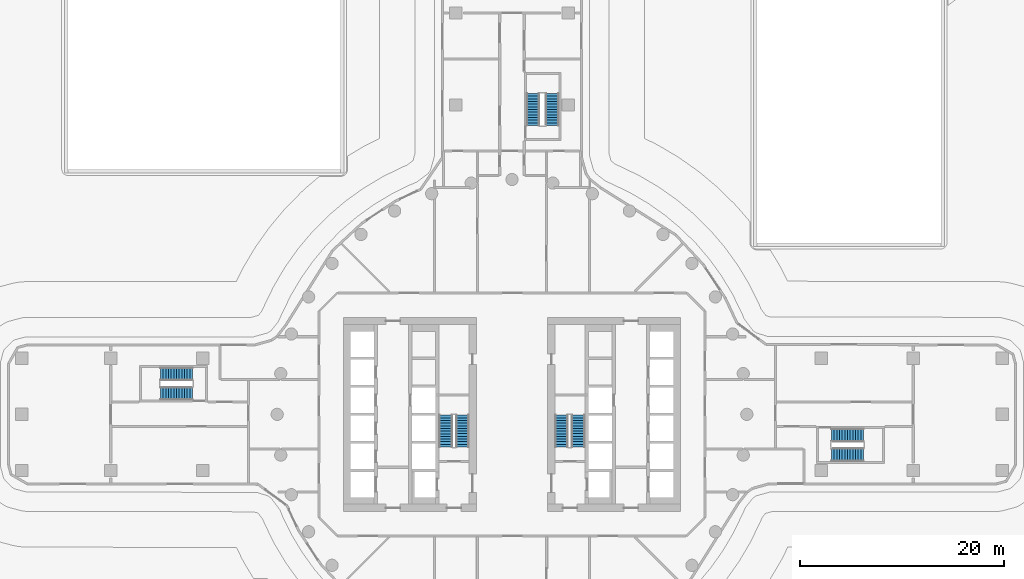
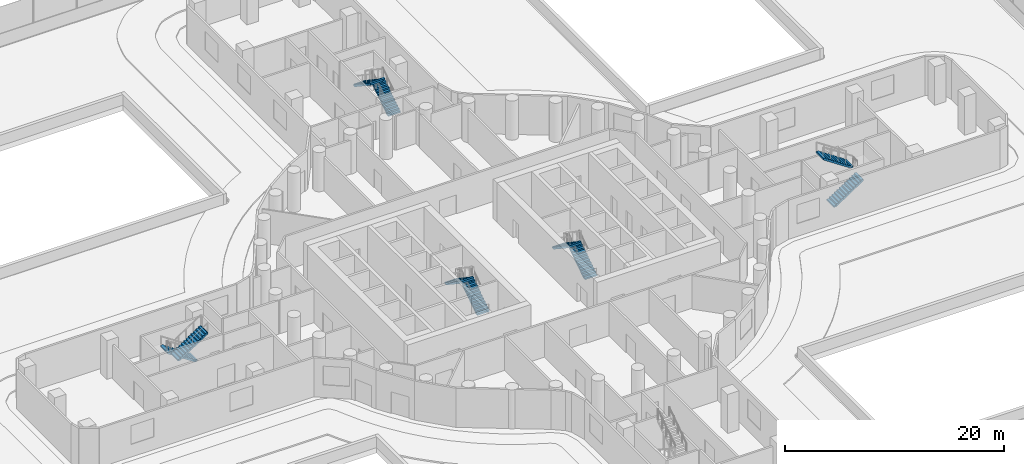
# One storey, part 29 of 37: 10 stair flights, 5 elements without a shape of their own.
"""IFC4 building model written with IfcOpenShell, lengths in metres."""

from ifc_helpers import new_model, si_unit, direction, frame, origin, place, context, subcontext, project, spatial, polyline, outline, extrude, material, type_object, element, aggregate, save


model = new_model("IFC4")

# Units and contexts
model_context = context("Model", 3, precision=1e-05, world=origin(), true_north=direction((0.0, 1.0)))
body_context = subcontext(model_context, "Body", "Model", "MODEL_VIEW")
ifc_project = project(units=[si_unit("LENGTHUNIT", "METRE"), si_unit("AREAUNIT", "SQUARE_METRE"), si_unit("VOLUMEUNIT", "CUBIC_METRE"), si_unit("PLANEANGLEUNIT", "RADIAN"), si_unit("MASSUNIT", "GRAM", prefix="KILO")], contexts=[model_context])

# Site, building, storey
site_placement = place(None, origin())
site = spatial("IfcSite", under=ifc_project, at=site_placement, CompositionType="ELEMENT")
building_placement = place(site_placement, origin())
building = spatial("IfcBuilding", under=site, at=building_placement, Name="Tamarind Cross Interchange Tower", CompositionType="ELEMENT")
storey_placement = place(building_placement, frame((0.0, 0.0, 29.5)))
storey = spatial("IfcBuildingStorey", under=building, at=storey_placement, Name="L05", CompositionType="ELEMENT", Elevation=29.5)

# Stair, stair flights
ifc_material_1 = material(Name="Exit stair")
stair_type = type_object("IfcStairType", Name="Exit stair", PredefinedType="HALF_TURN_STAIR", material=ifc_material_1)
stair_1_placement = place(storey_placement, origin())
stair_1 = element("IfcStair", 1, at=stair_1_placement, inside=storey, type_object=stair_type, Name="L05 exit stair ST1", PredefinedType="HALF_TURN_STAIR")
ifc_material_2 = material(Name="Exit stair flight")
stair_flight_type = type_object("IfcStairFlightType", Name="Exit stair flight", PredefinedType="STRAIGHT", material=ifc_material_2)
stair_flight_1_placement = place(storey_placement, frame((-4.85009765625, -3.199951171875, 0.0), z_axis=(0.0, 0.0, 1.0), x_axis=(0.0, 1.0, 0.0)))
stair_flight_1 = element("IfcStairFlight", 2, at=stair_flight_1_placement, type_object=stair_flight_type, Name="ST1 flight 1", NumberOfRisers=13, NumberOfTreads=12, PredefinedType="STRAIGHT", RiserHeight=0.173076923, TreadLength=0.26, context=body_context, shape_type="SweptSolid", body=[
    extrude(outline(polyline([(0.0, 0.0), (0.0, 0.173095703125), (0.260009765625, 0.173095703125), (0.260009765625, 0.34619140625), (0.52001953125, 0.34619140625), (0.52001953125, 0.519287109375), (0.780029296875, 0.519287109375), (0.780029296875, 0.6923828125), (1.0400390625, 0.6923828125), (1.0400390625, 0.865478515625), (1.300048828125, 0.865478515625), (1.300048828125, 1.03857421875), (1.56005859375, 1.03857421875), (1.56005859375, 1.21142578125), (1.820068359375, 1.21142578125), (1.820068359375, 1.384521484375), (2.080078125, 1.384521484375), (2.080078125, 1.5576171875), (2.340087890625, 1.5576171875), (2.340087890625, 1.730712890625), (2.60009765625, 1.730712890625), (2.60009765625, 1.90380859375), (2.860107421875, 1.90380859375), (2.860107421875, 2.076904296875), (3.1201171875, 2.076904296875), (3.1201171875, 2.25), (3.1201171875, 1.896728515625), (0.2705078125, 0.0), (0.0, 0.0)])), frame((0.0, 0.64990234375, 0.0), z_axis=(0.0, -1.0, 0.0), x_axis=(1.0, 0.0, 0.0)), (0.0, 0.0, 1.0), 1.300048828125),
])
stair_flight_2_placement = place(storey_placement, frame((-6.5, -0.080078125, 2.25), z_axis=(0.0, 0.0, 1.0), x_axis=(0.0, -1.0, 0.0)))
stair_flight_2 = element("IfcStairFlight", 3, at=stair_flight_2_placement, type_object=stair_flight_type, Name="ST1 flight 2", NumberOfRisers=13, NumberOfTreads=12, PredefinedType="STRAIGHT", RiserHeight=0.173076923, TreadLength=0.26, context=body_context, shape_type="SweptSolid", body=[
    extrude(outline(polyline([(0.0, 0.0), (0.0, 0.173095703125), (0.260009765625, 0.173095703125), (0.260009765625, 0.34619140625), (0.52001953125, 0.34619140625), (0.52001953125, 0.519287109375), (0.780029296875, 0.519287109375), (0.780029296875, 0.6923828125), (1.0400390625, 0.6923828125), (1.0400390625, 0.865478515625), (1.300048828125, 0.865478515625), (1.300048828125, 1.03857421875), (1.56005859375, 1.03857421875), (1.56005859375, 1.21142578125), (1.820068359375, 1.21142578125), (1.820068359375, 1.384521484375), (2.080078125, 1.384521484375), (2.080078125, 1.5576171875), (2.340087890625, 1.5576171875), (2.340087890625, 1.730712890625), (2.60009765625, 1.730712890625), (2.60009765625, 1.90380859375), (2.860107421875, 1.90380859375), (2.860107421875, 2.076904296875), (3.1201171875, 2.076904296875), (3.1201171875, 2.1298828125), (3.132080078125, 2.1298828125), (3.132080078125, 1.90478515625), (0.2705078125, 0.0), (0.0, 0.0)])), frame((0.0, 0.64990234375, 0.0), z_axis=(0.0, -1.0, 0.0), x_axis=(1.0, 0.0, 0.0)), (0.0, 0.0, 1.0), 1.300048828125),
])
aggregate(stair_1, [stair_flight_1, stair_flight_2])

stair_2_placement = place(storey_placement, origin())
stair_2 = element("IfcStair", 4, at=stair_2_placement, inside=storey, type_object=stair_type, Name="L05 exit stair ST2", PredefinedType="HALF_TURN_STAIR")
stair_flight_3_placement = place(storey_placement, frame((6.5, -3.199951171875, 0.0), z_axis=(0.0, 0.0, 1.0), x_axis=(0.0, 1.0, 0.0)))
stair_flight_3 = element("IfcStairFlight", 5, at=stair_flight_3_placement, type_object=stair_flight_type, Name="ST2 flight 1", NumberOfRisers=13, NumberOfTreads=12, PredefinedType="STRAIGHT", RiserHeight=0.173076923, TreadLength=0.26, context=body_context, shape_type="SweptSolid", body=[
    extrude(outline(polyline([(0.0, 0.0), (0.0, 0.173095703125), (0.260009765625, 0.173095703125), (0.260009765625, 0.34619140625), (0.52001953125, 0.34619140625), (0.52001953125, 0.519287109375), (0.780029296875, 0.519287109375), (0.780029296875, 0.6923828125), (1.0400390625, 0.6923828125), (1.0400390625, 0.865478515625), (1.300048828125, 0.865478515625), (1.300048828125, 1.03857421875), (1.56005859375, 1.03857421875), (1.56005859375, 1.21142578125), (1.820068359375, 1.21142578125), (1.820068359375, 1.384521484375), (2.080078125, 1.384521484375), (2.080078125, 1.5576171875), (2.340087890625, 1.5576171875), (2.340087890625, 1.730712890625), (2.60009765625, 1.730712890625), (2.60009765625, 1.90380859375), (2.860107421875, 1.90380859375), (2.860107421875, 2.076904296875), (3.1201171875, 2.076904296875), (3.1201171875, 2.25), (3.1201171875, 1.896728515625), (0.2705078125, 0.0), (0.0, 0.0)])), frame((0.0, 0.64990234375, 0.0), z_axis=(0.0, -1.0, 0.0), x_axis=(1.0, 0.0, 0.0)), (0.0, 0.0, 1.0), 1.300048828125),
])
stair_flight_4_placement = place(storey_placement, frame((4.85009765625, -0.080078125, 2.25), z_axis=(0.0, 0.0, 1.0), x_axis=(0.0, -1.0, 0.0)))
stair_flight_4 = element("IfcStairFlight", 6, at=stair_flight_4_placement, type_object=stair_flight_type, Name="ST2 flight 2", NumberOfRisers=13, NumberOfTreads=12, PredefinedType="STRAIGHT", RiserHeight=0.173076923, TreadLength=0.26, context=body_context, shape_type="SweptSolid", body=[
    extrude(outline(polyline([(0.0, 0.0), (0.0, 0.173095703125), (0.260009765625, 0.173095703125), (0.260009765625, 0.34619140625), (0.52001953125, 0.34619140625), (0.52001953125, 0.519287109375), (0.780029296875, 0.519287109375), (0.780029296875, 0.6923828125), (1.0400390625, 0.6923828125), (1.0400390625, 0.865478515625), (1.300048828125, 0.865478515625), (1.300048828125, 1.03857421875), (1.56005859375, 1.03857421875), (1.56005859375, 1.21142578125), (1.820068359375, 1.21142578125), (1.820068359375, 1.384521484375), (2.080078125, 1.384521484375), (2.080078125, 1.5576171875), (2.340087890625, 1.5576171875), (2.340087890625, 1.730712890625), (2.60009765625, 1.730712890625), (2.60009765625, 1.90380859375), (2.860107421875, 1.90380859375), (2.860107421875, 2.076904296875), (3.1201171875, 2.076904296875), (3.1201171875, 2.1298828125), (3.132080078125, 2.1298828125), (3.132080078125, 1.90478515625), (0.2705078125, 0.0), (0.0, 0.0)])), frame((0.0, 0.64990234375, 0.0), z_axis=(0.0, -1.0, 0.0), x_axis=(1.0, 0.0, 0.0)), (0.0, 0.0, 1.0), 1.300048828125),
])
aggregate(stair_2, [stair_flight_3, stair_flight_4])

stair_3_placement = place(storey_placement, origin())
stair_3 = element("IfcStair", 7, at=stair_3_placement, inside=storey, type_object=stair_type, Name="L05 exit stair ST3", PredefinedType="HALF_TURN_STAIR")
stair_flight_5_placement = place(storey_placement, frame((31.300048828125, -3.949951171875, 0.0), z_axis=(0.0, 0.0, 1.0), x_axis=(1.0, 0.0, 0.0)))
stair_flight_5 = element("IfcStairFlight", 8, at=stair_flight_5_placement, type_object=stair_flight_type, Name="ST3 flight 1", NumberOfRisers=13, NumberOfTreads=12, PredefinedType="STRAIGHT", RiserHeight=0.173076923, TreadLength=0.26, context=body_context, shape_type="SweptSolid", body=[
    extrude(outline(polyline([(0.0, 0.0), (0.0, 0.173095703125), (0.260009765625, 0.173095703125), (0.260009765625, 0.34619140625), (0.52001953125, 0.34619140625), (0.52001953125, 0.519287109375), (0.780029296875, 0.519287109375), (0.780029296875, 0.6923828125), (1.0400390625, 0.6923828125), (1.0400390625, 0.865478515625), (1.300048828125, 0.865478515625), (1.300048828125, 1.03857421875), (1.56005859375, 1.03857421875), (1.56005859375, 1.21142578125), (1.820068359375, 1.21142578125), (1.820068359375, 1.384521484375), (2.080078125, 1.384521484375), (2.080078125, 1.5576171875), (2.340087890625, 1.5576171875), (2.340087890625, 1.730712890625), (2.60009765625, 1.730712890625), (2.60009765625, 1.90380859375), (2.860107421875, 1.90380859375), (2.860107421875, 2.076904296875), (3.1201171875, 2.076904296875), (3.1201171875, 2.25), (3.1201171875, 1.896728515625), (0.2705078125, 0.0), (0.0, 0.0)])), frame((0.0, 0.64990234375, 0.0), z_axis=(0.0, -1.0, 0.0), x_axis=(1.0, 0.0, 0.0)), (0.0, 0.0, 1.0), 1.300048828125),
])
stair_flight_6_placement = place(storey_placement, frame((34.419921875, -2.050048828125, 2.25), z_axis=(0.0, 0.0, 1.0), x_axis=(-1.0, 0.0, 0.0)))
stair_flight_6 = element("IfcStairFlight", 9, at=stair_flight_6_placement, type_object=stair_flight_type, Name="ST3 flight 2", NumberOfRisers=13, NumberOfTreads=12, PredefinedType="STRAIGHT", RiserHeight=0.173076923, TreadLength=0.26, context=body_context, shape_type="SweptSolid", body=[
    extrude(outline(polyline([(0.0, 0.0), (0.0, 0.173095703125), (0.260009765625, 0.173095703125), (0.260009765625, 0.34619140625), (0.52001953125, 0.34619140625), (0.52001953125, 0.519287109375), (0.780029296875, 0.519287109375), (0.780029296875, 0.6923828125), (1.0400390625, 0.6923828125), (1.0400390625, 0.865478515625), (1.300048828125, 0.865478515625), (1.300048828125, 1.03857421875), (1.56005859375, 1.03857421875), (1.56005859375, 1.21142578125), (1.820068359375, 1.21142578125), (1.820068359375, 1.384521484375), (2.080078125, 1.384521484375), (2.080078125, 1.5576171875), (2.340087890625, 1.5576171875), (2.340087890625, 1.730712890625), (2.60009765625, 1.730712890625), (2.60009765625, 1.90380859375), (2.860107421875, 1.90380859375), (2.860107421875, 2.076904296875), (3.1201171875, 2.076904296875), (3.1201171875, 2.1298828125), (3.132080078125, 2.1298828125), (3.132080078125, 1.90478515625), (0.2705078125, 0.0), (0.0, 0.0)])), frame((0.0, 0.64990234375, 0.0), z_axis=(0.0, -1.0, 0.0), x_axis=(1.0, 0.0, 0.0)), (0.0, 0.0, 1.0), 1.300048828125),
])
aggregate(stair_3, [stair_flight_5, stair_flight_6])

stair_4_placement = place(storey_placement, origin())
stair_4 = element("IfcStair", 10, at=stair_4_placement, inside=storey, type_object=stair_type, Name="L05 exit stair ST4", PredefinedType="HALF_TURN_STAIR")
stair_flight_7_placement = place(storey_placement, frame((3.949951171875, 28.300048828125, 0.0), z_axis=(0.0, 0.0, 1.0), x_axis=(0.0, 1.0, 0.0)))
stair_flight_7 = element("IfcStairFlight", 11, at=stair_flight_7_placement, type_object=stair_flight_type, Name="ST4 flight 1", NumberOfRisers=13, NumberOfTreads=12, PredefinedType="STRAIGHT", RiserHeight=0.173076923, TreadLength=0.26, context=body_context, shape_type="SweptSolid", body=[
    extrude(outline(polyline([(0.0, 0.0), (0.0, 0.173095703125), (0.260009765625, 0.173095703125), (0.260009765625, 0.34619140625), (0.52001953125, 0.34619140625), (0.52001953125, 0.519287109375), (0.780029296875, 0.519287109375), (0.780029296875, 0.6923828125), (1.0400390625, 0.6923828125), (1.0400390625, 0.865478515625), (1.300048828125, 0.865478515625), (1.300048828125, 1.03857421875), (1.56005859375, 1.03857421875), (1.56005859375, 1.21142578125), (1.820068359375, 1.21142578125), (1.820068359375, 1.384521484375), (2.080078125, 1.384521484375), (2.080078125, 1.5576171875), (2.340087890625, 1.5576171875), (2.340087890625, 1.730712890625), (2.60009765625, 1.730712890625), (2.60009765625, 1.90380859375), (2.860107421875, 1.90380859375), (2.860107421875, 2.076904296875), (3.1201171875, 2.076904296875), (3.1201171875, 2.25), (3.1201171875, 1.896728515625), (0.2705078125, 0.0), (0.0, 0.0)])), frame((0.0, 0.64990234375, 0.0), z_axis=(0.0, -1.0, 0.0), x_axis=(1.0, 0.0, 0.0)), (0.0, 0.0, 1.0), 1.300048828125),
])
stair_flight_8_placement = place(storey_placement, frame((2.050048828125, 31.419921875, 2.25), z_axis=(0.0, 0.0, 1.0), x_axis=(0.0, -1.0, 0.0)))
stair_flight_8 = element("IfcStairFlight", 12, at=stair_flight_8_placement, type_object=stair_flight_type, Name="ST4 flight 2", NumberOfRisers=13, NumberOfTreads=12, PredefinedType="STRAIGHT", RiserHeight=0.173076923, TreadLength=0.26, context=body_context, shape_type="SweptSolid", body=[
    extrude(outline(polyline([(0.0, 0.0), (0.0, 0.173095703125), (0.260009765625, 0.173095703125), (0.260009765625, 0.34619140625), (0.52001953125, 0.34619140625), (0.52001953125, 0.519287109375), (0.780029296875, 0.519287109375), (0.780029296875, 0.6923828125), (1.0400390625, 0.6923828125), (1.0400390625, 0.865478515625), (1.300048828125, 0.865478515625), (1.300048828125, 1.03857421875), (1.56005859375, 1.03857421875), (1.56005859375, 1.21142578125), (1.820068359375, 1.21142578125), (1.820068359375, 1.384521484375), (2.080078125, 1.384521484375), (2.080078125, 1.5576171875), (2.340087890625, 1.5576171875), (2.340087890625, 1.730712890625), (2.60009765625, 1.730712890625), (2.60009765625, 1.90380859375), (2.860107421875, 1.90380859375), (2.860107421875, 2.076904296875), (3.1201171875, 2.076904296875), (3.1201171875, 2.1298828125), (3.132080078125, 2.1298828125), (3.132080078125, 1.90478515625), (0.2705078125, 0.0), (0.0, 0.0)])), frame((0.0, 0.64990234375, 0.0), z_axis=(0.0, -1.0, 0.0), x_axis=(1.0, 0.0, 0.0)), (0.0, 0.0, 1.0), 1.300048828125),
])
aggregate(stair_4, [stair_flight_7, stair_flight_8])

stair_5_placement = place(storey_placement, origin())
stair_5 = element("IfcStair", 13, at=stair_5_placement, inside=storey, type_object=stair_type, Name="L05 exit stair ST5", PredefinedType="HALF_TURN_STAIR")
stair_flight_9_placement = place(storey_placement, frame((-31.300048828125, 3.949951171875, 0.0), z_axis=(0.0, 0.0, 1.0), x_axis=(-1.0, 0.0, 0.0)))
stair_flight_9 = element("IfcStairFlight", 14, at=stair_flight_9_placement, type_object=stair_flight_type, Name="ST5 flight 1", NumberOfRisers=13, NumberOfTreads=12, PredefinedType="STRAIGHT", RiserHeight=0.173076923, TreadLength=0.26, context=body_context, shape_type="SweptSolid", body=[
    extrude(outline(polyline([(0.0, 0.0), (0.0, 0.173095703125), (0.260009765625, 0.173095703125), (0.260009765625, 0.34619140625), (0.52001953125, 0.34619140625), (0.52001953125, 0.519287109375), (0.780029296875, 0.519287109375), (0.780029296875, 0.6923828125), (1.0400390625, 0.6923828125), (1.0400390625, 0.865478515625), (1.300048828125, 0.865478515625), (1.300048828125, 1.03857421875), (1.56005859375, 1.03857421875), (1.56005859375, 1.21142578125), (1.820068359375, 1.21142578125), (1.820068359375, 1.384521484375), (2.080078125, 1.384521484375), (2.080078125, 1.5576171875), (2.340087890625, 1.5576171875), (2.340087890625, 1.730712890625), (2.60009765625, 1.730712890625), (2.60009765625, 1.90380859375), (2.860107421875, 1.90380859375), (2.860107421875, 2.076904296875), (3.1201171875, 2.076904296875), (3.1201171875, 2.25), (3.1201171875, 1.896728515625), (0.2705078125, 0.0), (0.0, 0.0)])), frame((0.0, 0.64990234375, 0.0), z_axis=(0.0, -1.0, 0.0), x_axis=(1.0, 0.0, 0.0)), (0.0, 0.0, 1.0), 1.300048828125),
])
stair_flight_10_placement = place(storey_placement, frame((-34.419921875, 2.050048828125, 2.25), z_axis=(0.0, 0.0, 1.0), x_axis=(1.0, 0.0, 0.0)))
stair_flight_10 = element("IfcStairFlight", 15, at=stair_flight_10_placement, type_object=stair_flight_type, Name="ST5 flight 2", NumberOfRisers=13, NumberOfTreads=12, PredefinedType="STRAIGHT", RiserHeight=0.173076923, TreadLength=0.26, context=body_context, shape_type="SweptSolid", body=[
    extrude(outline(polyline([(0.0, 0.0), (0.0, 0.173095703125), (0.260009765625, 0.173095703125), (0.260009765625, 0.34619140625), (0.52001953125, 0.34619140625), (0.52001953125, 0.519287109375), (0.780029296875, 0.519287109375), (0.780029296875, 0.6923828125), (1.0400390625, 0.6923828125), (1.0400390625, 0.865478515625), (1.300048828125, 0.865478515625), (1.300048828125, 1.03857421875), (1.56005859375, 1.03857421875), (1.56005859375, 1.21142578125), (1.820068359375, 1.21142578125), (1.820068359375, 1.384521484375), (2.080078125, 1.384521484375), (2.080078125, 1.5576171875), (2.340087890625, 1.5576171875), (2.340087890625, 1.730712890625), (2.60009765625, 1.730712890625), (2.60009765625, 1.90380859375), (2.860107421875, 1.90380859375), (2.860107421875, 2.076904296875), (3.1201171875, 2.076904296875), (3.1201171875, 2.1298828125), (3.132080078125, 2.1298828125), (3.132080078125, 1.90478515625), (0.2705078125, 0.0), (0.0, 0.0)])), frame((0.0, 0.64990234375, 0.0), z_axis=(0.0, -1.0, 0.0), x_axis=(1.0, 0.0, 0.0)), (0.0, 0.0, 1.0), 1.300048828125),
])
aggregate(stair_5, [stair_flight_9, stair_flight_10])

save(model, "model.ifc")
